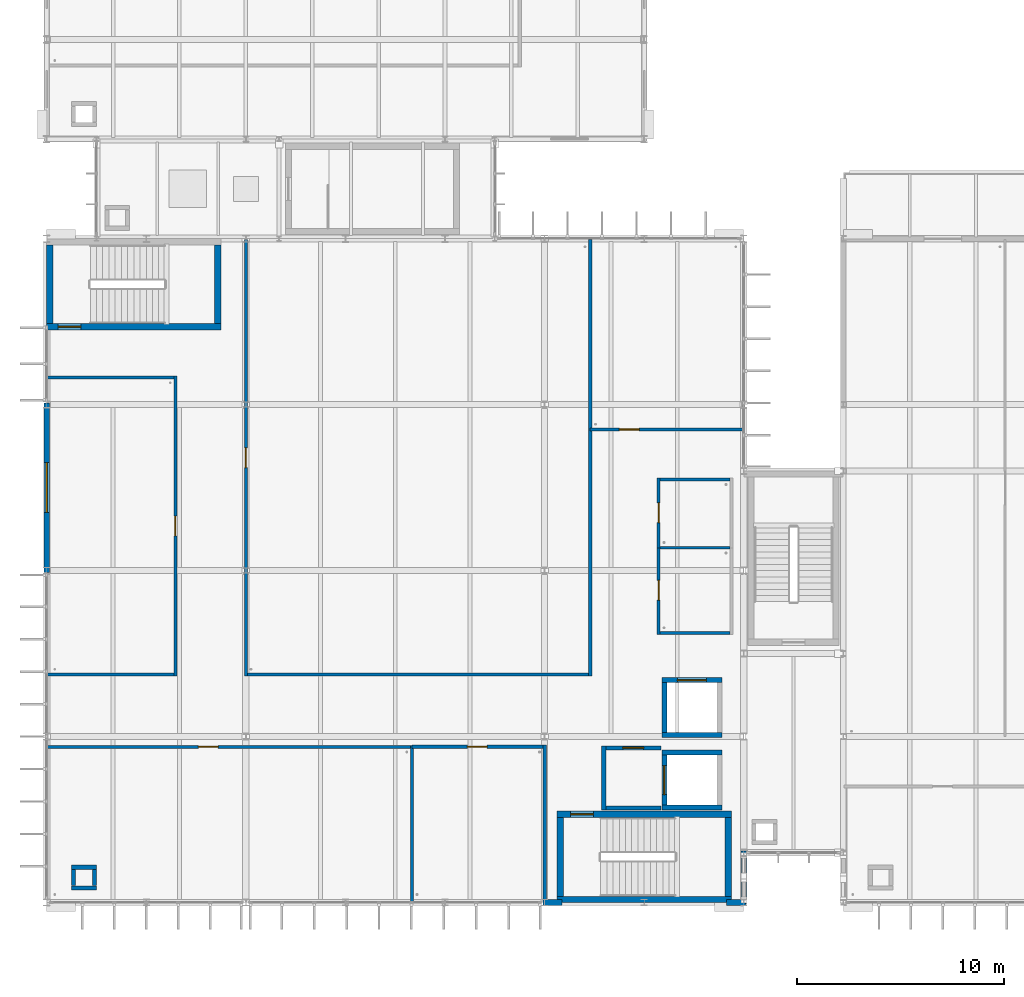
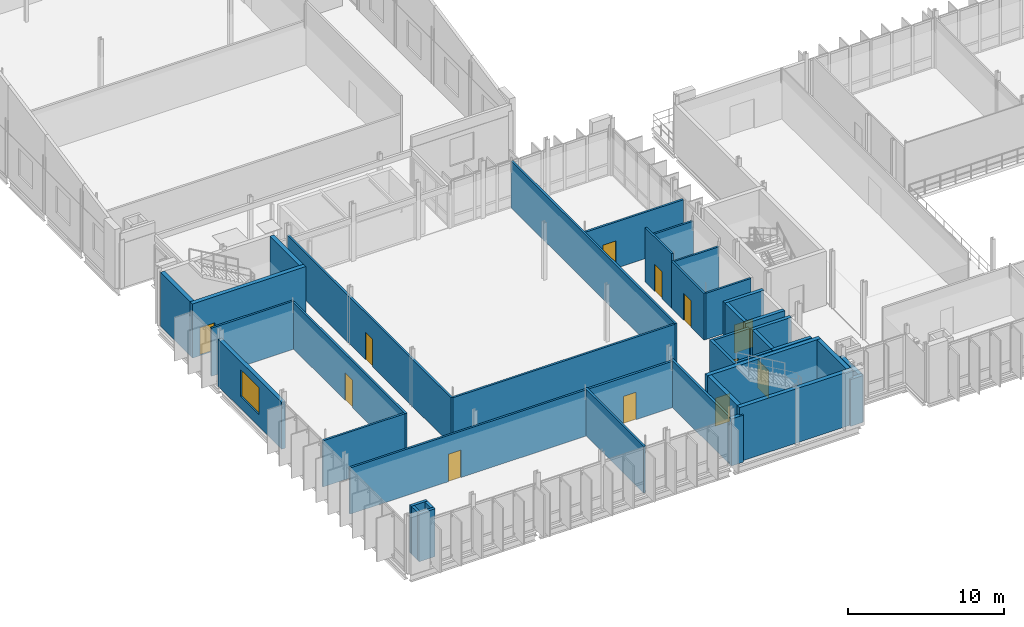
# One storey, part 50 of 93: 40 walls, 12 doors, 1 window, 13 openings.
"""IFC4 building model written with IfcOpenShell, lengths in metres."""

from ifc_helpers import new_model, si_unit, direction, frame, frame_2d, origin, place, context, subcontext, project, spatial, rectangle, extrude, material, layer, layer_set, type_object, element, fill, save


model = new_model("IFC4")

# Units and contexts
model_context = context("Model", 3, precision=1e-05, world=origin(), true_north=direction((0.0, 1.0)))
body_context = subcontext(model_context, "Body", "Model", "MODEL_VIEW")
ifc_project = project(units=[si_unit("LENGTHUNIT", "METRE"), si_unit("AREAUNIT", "SQUARE_METRE"), si_unit("VOLUMEUNIT", "CUBIC_METRE"), si_unit("PLANEANGLEUNIT", "RADIAN"), si_unit("MASSUNIT", "GRAM", prefix="KILO")], contexts=[model_context])

# Site, building, storey
site_placement = place(None, origin())
site = spatial("IfcSite", under=ifc_project, at=site_placement, CompositionType="ELEMENT")
building_placement = place(site_placement, origin())
building = spatial("IfcBuilding", under=site, at=building_placement, Name="Dunescarp Central Library", CompositionType="ELEMENT")
storey_placement = place(building_placement, frame((0.0, 0.0, 14.10009765625)))
storey = spatial("IfcBuildingStorey", under=building, at=storey_placement, Name="L03", CompositionType="ELEMENT", Elevation=14.10009765625)

# Wall, opening, door
ifc_material_1 = material(Name="Gypsum plasterboard acoustic partition")
ifc_layer_1 = layer(ifc_material_1, 0.14990234375)
ifc_layer_set_1 = layer_set([ifc_layer_1], Name="Gypsum plasterboard acoustic partition")
wall_type_1 = type_object("IfcWallType", Name="ARC-PT-AC150", PredefinedType="PARTITIONING", material=ifc_layer_set_1)
wall_1_placement = place(storey_placement, frame((0.0400390625, 12.300048828125, 0.0), z_axis=(0.0, 0.0, 1.0), x_axis=(1.0, 0.0, 0.0)))
wall_1 = element("IfcWall", 1, at=wall_1_placement, inside=storey, type_object=wall_type_1, Name="L03 partition PT-L03-0080", PredefinedType="PARTITIONING", context=body_context, shape_type="SweptSolid", body=[
    extrude(rectangle(XDim=17.48486328125, YDim=0.14990234375, at=frame_2d((8.742431640625, 0.0))), origin(), (0.0, 0.0, 1.0), 3.625),
])
opening_1_placement = place(wall_1_placement, frame((7.26806640625, 0.0, 0.0)))
opening_1 = element("IfcOpeningElement", 2, at=opening_1_placement, cuts=wall_1, Name="Opening DR-L03-0030", PredefinedType="OPENING", context=body_context, shape_type="SweptSolid", body=[
    extrude(rectangle(XDim=0.949951171875, YDim=2.14990234375, at=frame_2d((0.47509765625, 1.074951171875))), frame((0.0, 0.0849609375, 0.0), z_axis=(0.0, -1.0, 0.0), x_axis=(1.0, 0.0, 0.0)), (0.0, 0.0, 1.0), 0.169921875),
])
ifc_material_2 = material(Name="Hardwood solid-core timber leaf", Category="wood")
door_type_1 = type_object("IfcDoorType", Name="ARC-DR-INT950", OperationType="NOTDEFINED", PredefinedType="DOOR", material=ifc_material_2)
door_1_placement = place(opening_1_placement, origin())
door_1 = element("IfcDoor", 3, at=door_1_placement, inside=storey, type_object=door_type_1, Name="L03 interior door DR-L03-0030", OperationType="SINGLE_SWING_RIGHT", OverallHeight=2.14990234375, OverallWidth=0.949951171875, PredefinedType="DOOR", context=body_context, shape_type="SweptSolid", body=[
    extrude(rectangle(XDim=0.949951171875, YDim=2.14990234375, at=frame_2d((0.47509765625, 1.074951171875))), frame((0.0, 0.02490234375, 0.0), z_axis=(0.0, -1.0, 0.0), x_axis=(1.0, 0.0, 0.0)), (0.0, 0.0, 1.0), 0.050048828125),
])
fill(opening_1, door_1)

# Walls
wall_2_placement = place(storey_placement, frame((17.60009765625, 4.840087890625, 0.0), z_axis=(0.0, 0.0, 1.0), x_axis=(0.0, 1.0, 0.0)))
element("IfcWall", 4, at=wall_2_placement, inside=storey, type_object=wall_type_1, Name="L03 partition PT-L03-0081", PredefinedType="PARTITIONING", context=body_context, shape_type="SweptSolid", body=[
    extrude(rectangle(XDim=7.534912109375, YDim=0.14990234375, at=frame_2d((3.767578125, 0.0))), origin(), (0.0, 0.0, 1.0), 3.6748046875),
])
wall_3_placement = place(storey_placement, frame((0.0400390625, 15.800048828125, 0.0), z_axis=(0.0, 0.0, 1.0), x_axis=(1.0, 0.0, 0.0)))
element("IfcWall", 5, at=wall_3_placement, inside=storey, type_object=wall_type_1, Name="L03 partition PT-L03-0084", PredefinedType="PARTITIONING", context=body_context, shape_type="SweptSolid", body=[
    extrude(rectangle(XDim=6.0849609375, YDim=0.14990234375, at=frame_2d((3.04248046875, 0.0))), origin(), (0.0, 0.0, 1.0), 3.625),
])
wall_4_placement = place(storey_placement, frame((0.0400390625, 30.10009765625, 0.0), z_axis=(0.0, 0.0, 1.0), x_axis=(1.0, 0.0, 0.0)))
element("IfcWall", 6, at=wall_4_placement, inside=storey, type_object=wall_type_1, Name="L03 partition PT-L03-0085", PredefinedType="PARTITIONING", context=body_context, shape_type="SweptSolid", body=[
    extrude(rectangle(XDim=6.0849609375, YDim=0.14990234375, at=frame_2d((3.04248046875, 0.0))), origin(), (0.0, 0.0, 1.0), 3.77490234375),
])

# Wall, opening, door
wall_5_placement = place(storey_placement, frame((6.199951171875, 15.72509765625, 0.0), z_axis=(0.0, 0.0, 1.0), x_axis=(0.0, 1.0, 0.0)))
wall_5 = element("IfcWall", 7, at=wall_5_placement, inside=storey, type_object=wall_type_1, Name="L03 partition PT-L03-0086", PredefinedType="PARTITIONING", context=body_context, shape_type="SweptSolid", body=[
    extrude(rectangle(XDim=14.449951171875, YDim=0.14990234375, at=frame_2d((7.22509765625, 0.0))), origin(), (0.0, 0.0, 1.0), 3.625),
])
opening_2_placement = place(wall_5_placement, frame((6.75, 0.0, 0.0)))
opening_2 = element("IfcOpeningElement", 8, at=opening_2_placement, cuts=wall_5, Name="Opening DR-L03-0032", PredefinedType="OPENING", context=body_context, shape_type="SweptSolid", body=[
    extrude(rectangle(XDim=0.949951171875, YDim=2.14990234375, at=frame_2d((0.47509765625, 1.074951171875))), frame((0.0, 0.0849609375, 0.0), z_axis=(0.0, -1.0, 0.0), x_axis=(1.0, 0.0, 0.0)), (0.0, 0.0, 1.0), 0.169921875),
])
door_2_placement = place(opening_2_placement, origin())
door_2 = element("IfcDoor", 9, at=door_2_placement, inside=storey, type_object=door_type_1, Name="L03 interior door DR-L03-0032", OperationType="SINGLE_SWING_RIGHT", OverallHeight=2.14990234375, OverallWidth=0.949951171875, PredefinedType="DOOR", context=body_context, shape_type="SweptSolid", body=[
    extrude(rectangle(XDim=0.949951171875, YDim=2.14990234375, at=frame_2d((0.47509765625, 1.074951171875))), frame((0.0, 0.02490234375, 0.0), z_axis=(0.0, -1.0, 0.0), x_axis=(1.0, 0.0, 0.0)), (0.0, 0.0, 1.0), 0.050048828125),
])
fill(opening_2, door_2)

# Wall
wall_6_placement = place(storey_placement, frame((9.675048828125, 15.800048828125, 0.0), z_axis=(0.0, 0.0, 1.0), x_axis=(1.0, 0.0, 0.0)))
element("IfcWall", 10, at=wall_6_placement, inside=storey, type_object=wall_type_1, Name="L03 partition PT-L03-0087", PredefinedType="PARTITIONING", context=body_context, shape_type="SweptSolid", body=[
    extrude(rectangle(XDim=16.449951171875, YDim=0.14990234375, at=frame_2d((8.22509765625, 0.0))), origin(), (0.0, 0.0, 1.0), 3.625),
])

# Wall, opening, door
wall_7_placement = place(storey_placement, frame((9.60009765625, 15.72509765625, 0.0), z_axis=(0.0, 0.0, 1.0), x_axis=(0.0, 1.0, 0.0)))
wall_7 = element("IfcWall", 11, at=wall_7_placement, inside=storey, type_object=wall_type_1, Name="L03 partition PT-L03-0088", PredefinedType="PARTITIONING", context=body_context, shape_type="SweptSolid", body=[
    extrude(rectangle(XDim=21.034912109375, YDim=0.14990234375, at=frame_2d((10.517578125, 0.0))), origin(), (0.0, 0.0, 1.0), 3.6748046875),
])
opening_3_placement = place(wall_7_placement, frame((10.0419921875, 0.0, 0.0)))
opening_3 = element("IfcOpeningElement", 12, at=opening_3_placement, cuts=wall_7, Name="Opening DR-L03-0033", PredefinedType="OPENING", context=body_context, shape_type="SweptSolid", body=[
    extrude(rectangle(XDim=0.949951171875, YDim=2.14990234375, at=frame_2d((0.47509765625, 1.074951171875))), frame((0.0, 0.0849609375, 0.0), z_axis=(0.0, -1.0, 0.0), x_axis=(1.0, 0.0, 0.0)), (0.0, 0.0, 1.0), 0.169921875),
])
door_3_placement = place(opening_3_placement, origin())
door_3 = element("IfcDoor", 13, at=door_3_placement, inside=storey, type_object=door_type_1, Name="L03 interior door DR-L03-0033", OperationType="SINGLE_SWING_LEFT", OverallHeight=2.14990234375, OverallWidth=0.949951171875, PredefinedType="DOOR", context=body_context, shape_type="SweptSolid", body=[
    extrude(rectangle(XDim=0.949951171875, YDim=2.14990234375, at=frame_2d((0.47509765625, 1.074951171875))), frame((0.0, 0.02490234375, 0.0), z_axis=(0.0, -1.0, 0.0), x_axis=(1.0, 0.0, 0.0)), (0.0, 0.0, 1.0), 0.050048828125),
])
fill(opening_3, door_3)

# Wall
wall_8_placement = place(storey_placement, frame((26.199951171875, 15.72509765625, 0.0), z_axis=(0.0, 0.0, 1.0), x_axis=(0.0, 1.0, 0.0)))
element("IfcWall", 14, at=wall_8_placement, inside=storey, type_object=wall_type_1, Name="L03 partition PT-L03-0089", PredefinedType="PARTITIONING", context=body_context, shape_type="SweptSolid", body=[
    extrude(rectangle(XDim=21.034912109375, YDim=0.14990234375, at=frame_2d((10.517578125, 0.0))), origin(), (0.0, 0.0, 1.0), 3.6748046875),
])

# Wall, opening, door
wall_9_placement = place(storey_placement, frame((26.199951171875, 27.60009765625, 0.0), z_axis=(0.0, 0.0, 1.0), x_axis=(1.0, 0.0, 0.0)))
wall_9 = element("IfcWall", 15, at=wall_9_placement, inside=storey, type_object=wall_type_1, Name="L03 partition PT-L03-0090", PredefinedType="PARTITIONING", context=body_context, shape_type="SweptSolid", body=[
    extrude(rectangle(XDim=7.360107421875, YDim=0.14990234375, at=frame_2d((3.68017578125, 0.0))), origin(), (0.0, 0.0, 1.0), 3.625),
])
opening_4_placement = place(wall_9_placement, frame((1.409912109375, 0.0, 0.0)))
opening_4 = element("IfcOpeningElement", 16, at=opening_4_placement, cuts=wall_9, Name="Opening DR-L03-0034", PredefinedType="OPENING", context=body_context, shape_type="SweptSolid", body=[
    extrude(rectangle(XDim=0.949951171875, YDim=2.14990234375, at=frame_2d((0.47509765625, 1.074951171875))), frame((0.0, 0.0849609375, 0.0), z_axis=(0.0, -1.0, 0.0), x_axis=(1.0, 0.0, 0.0)), (0.0, 0.0, 1.0), 0.169921875),
])
door_4_placement = place(opening_4_placement, origin())
door_4 = element("IfcDoor", 17, at=door_4_placement, inside=storey, type_object=door_type_1, Name="L03 interior door DR-L03-0034", OperationType="SINGLE_SWING_RIGHT", OverallHeight=2.14990234375, OverallWidth=0.949951171875, PredefinedType="DOOR", context=body_context, shape_type="SweptSolid", body=[
    extrude(rectangle(XDim=0.949951171875, YDim=2.14990234375, at=frame_2d((0.47509765625, 1.074951171875))), frame((0.0, 0.02490234375, 0.0), z_axis=(0.0, -1.0, 0.0), x_axis=(1.0, 0.0, 0.0)), (0.0, 0.0, 1.0), 0.050048828125),
])
fill(opening_4, door_4)

ifc_layer_2 = layer(ifc_material_1, 0.169921875)
ifc_layer_set_2 = layer_set([ifc_layer_2], Name="Gypsum plasterboard acoustic partition")
wall_type_2 = type_object("IfcWallType", Name="ARC-PT-AC175", PredefinedType="PARTITIONING", material=ifc_layer_set_2)
wall_10_placement = place(storey_placement, frame((17.60009765625, 12.300048828125, 0.0), z_axis=(0.0, 0.0, 1.0), x_axis=(1.0, 0.0, 0.0)))
wall_10 = element("IfcWall", 18, at=wall_10_placement, inside=storey, type_object=wall_type_2, Name="L03 partition PT-L03-0082", PredefinedType="PARTITIONING", context=body_context, shape_type="SweptSolid", body=[
    extrude(rectangle(XDim=6.31494140625, YDim=0.169921875, at=frame_2d((3.157470703125, 0.0))), origin(), (0.0, 0.0, 1.0), 3.625),
])
opening_5_placement = place(wall_10_placement, frame((2.681884765625, 0.0, 0.0)))
opening_5 = element("IfcOpeningElement", 19, at=opening_5_placement, cuts=wall_10, Name="Opening DR-L03-0031", PredefinedType="OPENING", context=body_context, shape_type="SweptSolid", body=[
    extrude(rectangle(XDim=0.949951171875, YDim=2.14990234375, at=frame_2d((0.47509765625, 1.074951171875))), frame((0.0, 0.094970703125, 0.0), z_axis=(0.0, -1.0, 0.0), x_axis=(1.0, 0.0, 0.0)), (0.0, 0.0, 1.0), 0.18994140625),
])
door_5_placement = place(opening_5_placement, origin())
door_5 = element("IfcDoor", 20, at=door_5_placement, inside=storey, type_object=door_type_1, Name="L03 interior door DR-L03-0031", OperationType="SINGLE_SWING_LEFT", OverallHeight=2.14990234375, OverallWidth=0.949951171875, PredefinedType="DOOR", context=body_context, shape_type="SweptSolid", body=[
    extrude(rectangle(XDim=0.949951171875, YDim=2.14990234375, at=frame_2d((0.47509765625, 1.074951171875))), frame((0.0, 0.02490234375, 0.0), z_axis=(0.0, -1.0, 0.0), x_axis=(1.0, 0.0, 0.0)), (0.0, 0.0, 1.0), 0.050048828125),
])
fill(opening_5, door_5)

# Walls
wall_11_placement = place(storey_placement, frame((24.0, 4.840087890625, 0.0), z_axis=(0.0, 0.0, 1.0), x_axis=(0.0, 1.0, 0.0)))
element("IfcWall", 21, at=wall_11_placement, inside=storey, type_object=wall_type_2, Name="L03 partition PT-L03-0083", PredefinedType="PARTITIONING", context=body_context, shape_type="SweptSolid", body=[
    extrude(rectangle(XDim=7.544921875, YDim=0.169921875, at=frame_2d((3.7724609375, 0.0))), origin(), (0.0, 0.0, 1.0), 3.6748046875),
])
ifc_material_3 = material(Name="Concrete C35/45", Category="concrete")
ifc_layer_3 = layer(ifc_material_3, 0.199951171875)
ifc_layer_set_3 = layer_set([ifc_layer_3], Name="Concrete C35/45")
wall_type_3 = type_object("IfcWallType", Name="ARC-PT-FIRE200", PredefinedType="PARTITIONING", material=ifc_layer_set_3)
wall_12_placement = place(storey_placement, frame((26.949951171875, 9.35009765625, 0.0), z_axis=(0.0, 0.0, 1.0), x_axis=(1.0, 0.0, 0.0)))
element("IfcWall", 22, at=wall_12_placement, inside=storey, type_object=wall_type_3, Name="L03 partition PT-L03-0070", PredefinedType="PARTITIONING", context=body_context, shape_type="SweptSolid", body=[
    extrude(rectangle(XDim=2.650146484375, YDim=0.199951171875, at=frame_2d((1.3251953125, 0.0))), origin(), (0.0, 0.0, 1.0), 4.25),
])

# Wall, opening, door
wall_13_placement = place(storey_placement, frame((26.949951171875, 12.25, 0.0), z_axis=(0.0, 0.0, 1.0), x_axis=(1.0, 0.0, 0.0)))
wall_13 = element("IfcWall", 23, at=wall_13_placement, inside=storey, type_object=wall_type_3, Name="L03 partition PT-L03-0071", PredefinedType="PARTITIONING", context=body_context, shape_type="SweptSolid", body=[
    extrude(rectangle(XDim=2.650146484375, YDim=0.199951171875, at=frame_2d((1.3251953125, 0.0))), origin(), (0.0, 0.0, 1.0), 4.25),
])
opening_6_placement = place(wall_13_placement, frame((0.824951171875, 0.0, 0.0)))
opening_6 = element("IfcOpeningElement", 24, at=opening_6_placement, cuts=wall_13, Name="Opening DR-L03-0027", PredefinedType="OPENING", context=body_context, shape_type="SweptSolid", body=[
    extrude(rectangle(XDim=1.0, YDim=2.199951171875, at=frame_2d((0.5, 1.10009765625))), frame((0.0, 0.10986328125, 0.0), z_axis=(0.0, -1.0, 0.0), x_axis=(1.0, 0.0, 0.0)), (0.0, 0.0, 1.0), 0.219970703125),
])
door_type_2 = type_object("IfcDoorType", Name="ARC-DR-INT1000", OperationType="NOTDEFINED", PredefinedType="DOOR", material=ifc_material_2)
door_6_placement = place(opening_6_placement, origin())
door_6 = element("IfcDoor", 25, at=door_6_placement, inside=storey, type_object=door_type_2, Name="L03 interior door DR-L03-0027", OperationType="SINGLE_SWING_LEFT", OverallHeight=2.199951171875, OverallWidth=1.0, PredefinedType="DOOR", context=body_context, shape_type="SweptSolid", body=[
    extrude(rectangle(XDim=1.0, YDim=2.199951171875, at=frame_2d((0.5, 1.10009765625))), frame((0.0, 0.02490234375, 0.0), z_axis=(0.0, -1.0, 0.0), x_axis=(1.0, 0.0, 0.0)), (0.0, 0.0, 1.0), 0.050048828125),
])
fill(opening_6, door_6)

# Walls
wall_14_placement = place(storey_placement, frame((26.85009765625, 9.25, 0.0), z_axis=(0.0, 0.0, 1.0), x_axis=(0.0, 1.0, 0.0)))
element("IfcWall", 26, at=wall_14_placement, inside=storey, type_object=wall_type_3, Name="L03 partition PT-L03-0072", PredefinedType="PARTITIONING", context=body_context, shape_type="SweptSolid", body=[
    extrude(rectangle(XDim=3.10009765625, YDim=0.199951171875, at=frame_2d((1.550048828125, 0.0))), origin(), (0.0, 0.0, 1.0), 4.25),
])
ifc_material_4 = material(Name="Autoclaved aerated concrete block", Category="concrete")
ifc_layer_4 = layer(ifc_material_4, 0.139892578125)
ifc_layer_set_4 = layer_set([ifc_layer_4], Name="Autoclaved aerated concrete block")
wall_type_4 = type_object("IfcWallType", Name="ARC-PT-WET140", PredefinedType="PARTITIONING", material=ifc_layer_set_4)
for number, where, z_axis, x_axis, name in (
    (27, (29.570068359375, 17.800048828125, 0.0), (0.0, 0.0, 1.0), (1.0, 0.0, 0.0), "L03 partition PT-L03-0073"),
    (28, (29.570068359375, 21.89990234375, 0.0), (0.0, 0.0, 1.0), (1.0, 0.0, 0.0), "L03 partition PT-L03-0074"),
):
    element("IfcWall", number, at=place(storey_placement, frame(where, z_axis=z_axis, x_axis=x_axis)), inside=storey, type_object=wall_type_4, Name=name, PredefinedType="PARTITIONING", context=body_context, shape_type="SweptSolid", body=[
        extrude(rectangle(XDim=3.35986328125, YDim=0.139892578125, at=frame_2d((1.679931640625, 0.0))), origin(), (0.0, 0.0, 1.0), 3.625),
    ])

# Wall, opening, door
wall_15_placement = place(storey_placement, frame((29.5, 17.72998046875, 0.0), z_axis=(0.0, 0.0, 1.0), x_axis=(0.0, 1.0, 0.0)))
wall_15 = element("IfcWall", 29, at=wall_15_placement, inside=storey, type_object=wall_type_4, Name="L03 partition PT-L03-0075", PredefinedType="PARTITIONING", context=body_context, shape_type="SweptSolid", body=[
    extrude(rectangle(XDim=4.239990234375, YDim=0.139892578125, at=frame_2d((2.1201171875, 0.0))), origin(), (0.0, 0.0, 1.0), 3.6748046875),
])
opening_7_placement = place(wall_15_placement, frame((1.64501953125, 0.0, 0.0)))
opening_7 = element("IfcOpeningElement", 30, at=opening_7_placement, cuts=wall_15, Name="Opening DR-L03-0028", PredefinedType="OPENING", context=body_context, shape_type="SweptSolid", body=[
    extrude(rectangle(XDim=0.949951171875, YDim=2.10009765625, at=frame_2d((0.47509765625, 1.050048828125))), frame((0.0, 0.080078125, 0.0), z_axis=(0.0, -1.0, 0.0), x_axis=(1.0, 0.0, 0.0)), (0.0, 0.0, 1.0), 0.159912109375),
])
door_type_3 = type_object("IfcDoorType", Name="ARC-DR-WC950", OperationType="NOTDEFINED", PredefinedType="DOOR", material=ifc_material_2)
door_7_placement = place(opening_7_placement, origin())
door_7 = element("IfcDoor", 31, at=door_7_placement, inside=storey, type_object=door_type_3, Name="L03 interior door DR-L03-0028", OperationType="SINGLE_SWING_RIGHT", OverallHeight=2.10009765625, OverallWidth=0.949951171875, PredefinedType="DOOR", context=body_context, shape_type="SweptSolid", body=[
    extrude(rectangle(XDim=0.949951171875, YDim=2.10009765625, at=frame_2d((0.47509765625, 1.050048828125))), frame((0.0, 0.02490234375, 0.0), z_axis=(0.0, -1.0, 0.0), x_axis=(1.0, 0.0, 0.0)), (0.0, 0.0, 1.0), 0.050048828125),
])
fill(opening_7, door_7)

# Wall
wall_16_placement = place(storey_placement, frame((29.570068359375, 25.199951171875, 0.0), z_axis=(0.0, 0.0, 1.0), x_axis=(1.0, 0.0, 0.0)))
element("IfcWall", 32, at=wall_16_placement, inside=storey, type_object=wall_type_4, Name="L03 partition PT-L03-0077", PredefinedType="PARTITIONING", context=body_context, shape_type="SweptSolid", body=[
    extrude(rectangle(XDim=3.35986328125, YDim=0.139892578125, at=frame_2d((1.679931640625, 0.0))), origin(), (0.0, 0.0, 1.0), 3.625),
])

# Wall, opening, door
wall_17_placement = place(storey_placement, frame((29.5, 21.89990234375, 0.0), z_axis=(0.0, 0.0, 1.0), x_axis=(0.0, 1.0, 0.0)))
wall_17 = element("IfcWall", 33, at=wall_17_placement, inside=storey, type_object=wall_type_4, Name="L03 partition PT-L03-0078", PredefinedType="PARTITIONING", context=body_context, shape_type="SweptSolid", body=[
    extrude(rectangle(XDim=3.3701171875, YDim=0.139892578125, at=frame_2d((1.68505859375, 0.0))), origin(), (0.0, 0.0, 1.0), 4.25),
])
opening_8_placement = place(wall_17_placement, frame((1.2099609375, 0.0, 0.0)))
opening_8 = element("IfcOpeningElement", 34, at=opening_8_placement, cuts=wall_17, Name="Opening DR-L03-0029", PredefinedType="OPENING", context=body_context, shape_type="SweptSolid", body=[
    extrude(rectangle(XDim=0.949951171875, YDim=2.10009765625, at=frame_2d((0.47509765625, 1.050048828125))), frame((0.0, 0.080078125, 0.0), z_axis=(0.0, -1.0, 0.0), x_axis=(1.0, 0.0, 0.0)), (0.0, 0.0, 1.0), 0.159912109375),
])
door_8_placement = place(opening_8_placement, origin())
door_8 = element("IfcDoor", 35, at=door_8_placement, inside=storey, type_object=door_type_3, Name="L03 interior door DR-L03-0029", OperationType="SINGLE_SWING_LEFT", OverallHeight=2.10009765625, OverallWidth=0.949951171875, PredefinedType="DOOR", context=body_context, shape_type="SweptSolid", body=[
    extrude(rectangle(XDim=0.949951171875, YDim=2.10009765625, at=frame_2d((0.47509765625, 1.050048828125))), frame((0.0, 0.02490234375, 0.0), z_axis=(0.0, -1.0, 0.0), x_axis=(1.0, 0.0, 0.0)), (0.0, 0.0, 1.0), 0.050048828125),
])
fill(opening_8, door_8)

# Walls
ifc_material_5 = material(Name="Glass-fibre reinforced concrete GRC", Category="concrete")
ifc_layer_5 = layer(ifc_material_5, 0.280029296875)
ifc_layer_set_5 = layer_set([ifc_layer_5], Name="Glass-fibre reinforced concrete GRC")
wall_type_5 = type_object("IfcWallType", Name="ARC-WL-GRC280", PredefinedType="SOLIDWALL", material=ifc_layer_set_5)
wall_18_placement = place(storey_placement, frame((24.8349609375, 4.800048828125, 0.0), z_axis=(0.0, 0.0, 1.0), x_axis=(-1.0, 0.0, 0.0)))
element("IfcWall", 36, at=wall_18_placement, inside=storey, type_object=wall_type_5, Name="L03 external wall EW-V1-014", PredefinedType="SOLIDWALL", context=body_context, shape_type="SweptSolid", body=[
    extrude(rectangle(XDim=0.919921875, YDim=0.280029296875, at=frame_2d((0.4599609375, 0.0))), origin(), (0.0, 0.0, 1.0), 3.6748046875),
])
wall_19_placement = place(storey_placement, frame((33.68505859375, 4.800048828125, 0.0), z_axis=(0.0, 0.0, 1.0), x_axis=(-1.0, 0.0, 0.0)))
element("IfcWall", 37, at=wall_19_placement, inside=storey, type_object=wall_type_5, Name="L03 external wall EW-V1-015", PredefinedType="SOLIDWALL", context=body_context, shape_type="SweptSolid", body=[
    extrude(rectangle(XDim=0.920166015625, YDim=0.280029296875, at=frame_2d((0.4599609375, 0.0))), origin(), (0.0, 0.0, 1.0), 3.6748046875),
])

# Wall, opening, window
wall_20_placement = place(storey_placement, frame((0.0, 20.715087890625, 0.0), z_axis=(0.0, 0.0, 1.0), x_axis=(0.0, 1.0, 0.0)))
wall_20 = element("IfcWall", 38, at=wall_20_placement, inside=storey, type_object=wall_type_5, Name="L03 external wall EW-V1-016", PredefinedType="SOLIDWALL", context=body_context, shape_type="SweptSolid", body=[
    extrude(rectangle(XDim=8.169921875, YDim=0.280029296875, at=frame_2d((4.0849609375, 0.0))), origin(), (0.0, 0.0, 1.0), 3.6748046875),
])
opening_9_placement = place(wall_20_placement, frame((2.885009765625, 0.0, 0.949951171875)))
opening_9 = element("IfcOpeningElement", 39, at=opening_9_placement, cuts=wall_20, Name="Opening WN-004", PredefinedType="OPENING", context=body_context, shape_type="SweptSolid", body=[
    extrude(rectangle(XDim=2.39990234375, YDim=2.10009765625, at=frame_2d((1.199951171875, 1.050048828125))), frame((0.0, 0.14990234375, 0.0), z_axis=(0.0, -1.0, 0.0), x_axis=(1.0, 0.0, 0.0)), (0.0, 0.0, 1.0), 0.300048828125),
])
ifc_material_6 = material(Name="Solar-control laminated double glazing", Category="glass")
window_type = type_object("IfcWindowType", Name="ARC-WN-2400X2100", PartitioningType="SINGLE_PANEL", PredefinedType="WINDOW", material=ifc_material_6)
window_placement = place(opening_9_placement, origin())
window = element("IfcWindow", 40, at=window_placement, inside=storey, type_object=window_type, Name="L03 window WN-004", OverallHeight=2.10009765625, OverallWidth=2.39990234375, PartitioningType="SINGLE_PANEL", PredefinedType="WINDOW", context=body_context, shape_type="SweptSolid", body=[
    extrude(rectangle(XDim=2.39990234375, YDim=2.10009765625, at=frame_2d((1.199951171875, 1.050048828125))), frame((0.0, 0.030029296875, 0.0), z_axis=(0.0, -1.0, 0.0), x_axis=(1.0, 0.0, 0.0)), (0.0, 0.0, 1.0), 0.06005859375),
])
fill(opening_9, window)

# Walls
wall_21_placement = place(storey_placement, frame((33.60009765625, 7.284912109375, 0.0), z_axis=(0.0, 0.0, 1.0), x_axis=(0.0, -1.0, 0.0)))
element("IfcWall", 41, at=wall_21_placement, inside=storey, type_object=wall_type_5, Name="L03 external wall EW-V1-017", PredefinedType="SOLIDWALL", context=body_context, shape_type="SweptSolid", body=[
    extrude(rectangle(XDim=2.56982421875, YDim=0.280029296875, at=frame_2d((1.284912109375, 0.0))), origin(), (0.0, 0.0, 1.0), 3.6748046875),
])
ifc_layer_6 = layer(ifc_material_3, 0.199951171875)
ifc_layer_set_6 = layer_set([ifc_layer_6], Name="Concrete C35/45")
wall_type_6 = type_object("IfcWallType", Name="ARC-WL-RISER200", PredefinedType="PARTITIONING", material=ifc_layer_set_6)
for number, where, z_axis, x_axis, name in (
    (42, (2.39990234375, 5.5, 0.0), (0.0, 0.0, 1.0), (-1.0, 0.0, 0.0), "L03 V1 duct shaft wall S"),
    (43, (1.199951171875, 6.5, 0.0), (0.0, 0.0, 1.0), (1.0, 0.0, 0.0), "L03 V1 duct shaft wall N"),
):
    element("IfcWall", number, at=place(storey_placement, frame(where, z_axis=z_axis, x_axis=x_axis)), inside=storey, type_object=wall_type_6, Name=name, PredefinedType="PARTITIONING", context=body_context, shape_type="SweptSolid", body=[
        extrude(rectangle(XDim=1.199951171875, YDim=0.199951171875, at=frame_2d((0.60009765625, 0.0))), origin(), (0.0, 0.0, 1.0), 3.75),
    ])
for number, where, z_axis, x_axis, name in (
    (44, (1.300048828125, 5.6201171875, 0.0), (0.0, 0.0, 1.0), (0.0, 1.0, 0.0), "L03 V1 duct shaft wall W"),
    (45, (2.300048828125, 6.3798828125, 0.0), (0.0, 0.0, 1.0), (0.0, -1.0, 0.0), "L03 V1 duct shaft wall E"),
):
    element("IfcWall", number, at=place(storey_placement, frame(where, z_axis=z_axis, x_axis=x_axis)), inside=storey, type_object=wall_type_6, Name=name, PredefinedType="PARTITIONING", context=body_context, shape_type="SweptSolid", body=[
        extrude(rectangle(XDim=0.759765625, YDim=0.199951171875, at=frame_2d((0.3798828125, 0.0))), origin(), (0.0, 0.0, 1.0), 3.75),
    ])
ifc_material_7 = material(Name="Concrete C40/50", Category="concrete")
ifc_layer_7 = layer(ifc_material_7, 0.25)
ifc_layer_set_7 = layer_set([ifc_layer_7], Name="Concrete C40/50")
wall_type_7 = type_object("IfcWallType", Name="STR-WL-CORE250", PredefinedType="SHEAR", material=ifc_layer_set_7)
for number, where, z_axis, x_axis, name in (
    (46, (32.550048828125, 9.375, 0.0), (0.0, 0.0, 1.0), (-1.0, 0.0, 0.0), "L03 FFL-1 lift shaft wall S"),
    (47, (29.64990234375, 12.02490234375, 0.0), (0.0, 0.0, 1.0), (1.0, 0.0, 0.0), "L03 FFL-1 lift shaft wall N"),
):
    element("IfcWall", number, at=place(storey_placement, frame(where, z_axis=z_axis, x_axis=x_axis)), inside=storey, type_object=wall_type_7, Name=name, PredefinedType="SHEAR", context=body_context, shape_type="SweptSolid", body=[
        extrude(rectangle(XDim=2.900146484375, YDim=0.25, at=frame_2d((1.4501953125, 0.0))), origin(), (0.0, 0.0, 1.0), 4.25),
    ])

# Wall, opening, door
wall_22_placement = place(storey_placement, frame((29.77490234375, 9.5, 0.0), z_axis=(0.0, 0.0, 1.0), x_axis=(0.0, 1.0, 0.0)))
wall_22 = element("IfcWall", 48, at=wall_22_placement, inside=storey, type_object=wall_type_7, Name="L03 FFL-1 lift shaft wall W", PredefinedType="SHEAR", context=body_context, shape_type="SweptSolid", body=[
    extrude(rectangle(XDim=2.39990234375, YDim=0.25, at=frame_2d((1.199951171875, 0.0))), origin(), (0.0, 0.0, 1.0), 4.25),
])
opening_10_placement = place(wall_22_placement, frame((0.5, 0.0, 0.0)))
opening_10 = element("IfcOpeningElement", 49, at=opening_10_placement, cuts=wall_22, Name="Opening LD-FFL-1-L03", PredefinedType="OPENING", context=body_context, shape_type="SweptSolid", body=[
    extrude(rectangle(XDim=1.39990234375, YDim=2.199951171875, at=frame_2d((0.699951171875, 1.10009765625))), frame((0.0, 0.135009765625, 0.0), z_axis=(0.0, -1.0, 0.0), x_axis=(1.0, 0.0, 0.0)), (0.0, 0.0, 1.0), 0.27001953125),
])
ifc_material_8 = material(Name="Stainless steel Grade 316L", Category="steel")
door_type_4 = type_object("IfcDoorType", Name="ARC-DR-LD1400", OperationType="DOUBLE_DOOR_SLIDING", PredefinedType="DOOR", material=ifc_material_8)
door_9_placement = place(opening_10_placement, origin())
door_9 = element("IfcDoor", 50, at=door_9_placement, inside=storey, type_object=door_type_4, Name="L03 FFL-1 lift landing door", OperationType="DOUBLE_DOOR_SLIDING", OverallHeight=2.199951171875, OverallWidth=1.39990234375, PredefinedType="DOOR", context=body_context, shape_type="SweptSolid", body=[
    extrude(rectangle(XDim=1.39990234375, YDim=2.199951171875, at=frame_2d((0.699951171875, 1.10009765625))), frame((0.0, 0.02490234375, 0.0), z_axis=(0.0, -1.0, 0.0), x_axis=(1.0, 0.0, 0.0)), (0.0, 0.0, 1.0), 0.050048828125),
])
fill(opening_10, door_9)

# Wall
wall_23_placement = place(storey_placement, frame((32.550048828125, 12.875, 0.0), z_axis=(0.0, 0.0, 1.0), x_axis=(-1.0, 0.0, 0.0)))
element("IfcWall", 51, at=wall_23_placement, inside=storey, type_object=wall_type_7, Name="L03 SL-1 lift shaft wall S", PredefinedType="SHEAR", context=body_context, shape_type="SweptSolid", body=[
    extrude(rectangle(XDim=2.900146484375, YDim=0.25, at=frame_2d((1.4501953125, 0.0))), origin(), (0.0, 0.0, 1.0), 4.25),
])

# Wall, opening, door
wall_24_placement = place(storey_placement, frame((29.64990234375, 15.52490234375, 0.0), z_axis=(0.0, 0.0, 1.0), x_axis=(1.0, 0.0, 0.0)))
wall_24 = element("IfcWall", 52, at=wall_24_placement, inside=storey, type_object=wall_type_7, Name="L03 SL-1 lift shaft wall N", PredefinedType="SHEAR", context=body_context, shape_type="SweptSolid", body=[
    extrude(rectangle(XDim=2.900146484375, YDim=0.25, at=frame_2d((1.4501953125, 0.0))), origin(), (0.0, 0.0, 1.0), 4.25),
])
opening_11_placement = place(wall_24_placement, frame((0.75, 0.0, 0.0)))
opening_11 = element("IfcOpeningElement", 53, at=opening_11_placement, cuts=wall_24, Name="Opening LD-SL-1-L03", PredefinedType="OPENING", context=body_context, shape_type="SweptSolid", body=[
    extrude(rectangle(XDim=1.39990234375, YDim=2.199951171875, at=frame_2d((0.699951171875, 1.10009765625))), frame((0.0, 0.135009765625, 0.0), z_axis=(0.0, -1.0, 0.0), x_axis=(1.0, 0.0, 0.0)), (0.0, 0.0, 1.0), 0.27001953125),
])
door_10_placement = place(opening_11_placement, origin())
door_10 = element("IfcDoor", 54, at=door_10_placement, inside=storey, type_object=door_type_4, Name="L03 SL-1 lift landing door", OperationType="DOUBLE_DOOR_SLIDING", OverallHeight=2.199951171875, OverallWidth=1.39990234375, PredefinedType="DOOR", context=body_context, shape_type="SweptSolid", body=[
    extrude(rectangle(XDim=1.39990234375, YDim=2.199951171875, at=frame_2d((0.699951171875, 1.10009765625))), frame((0.0, 0.02490234375, 0.0), z_axis=(0.0, -1.0, 0.0), x_axis=(1.0, 0.0, 0.0)), (0.0, 0.0, 1.0), 0.050048828125),
])
fill(opening_11, door_10)

# Walls
wall_25_placement = place(storey_placement, frame((29.77490234375, 13.0, 0.0), z_axis=(0.0, 0.0, 1.0), x_axis=(0.0, 1.0, 0.0)))
element("IfcWall", 55, at=wall_25_placement, inside=storey, type_object=wall_type_7, Name="L03 SL-1 lift shaft wall W", PredefinedType="SHEAR", context=body_context, shape_type="SweptSolid", body=[
    extrude(rectangle(XDim=2.39990234375, YDim=0.25, at=frame_2d((1.199951171875, 0.0))), origin(), (0.0, 0.0, 1.0), 4.25),
])
ifc_layer_8 = layer(ifc_material_7, 0.300048828125)
ifc_layer_set_8 = layer_set([ifc_layer_8], Name="Concrete C40/50")
wall_type_8 = type_object("IfcWallType", Name="STR-WL-CORE300", PredefinedType="SHEAR", material=ifc_layer_set_8)
wall_26_placement = place(storey_placement, frame((33.0, 4.949951171875, 0.0), z_axis=(0.0, 0.0, 1.0), x_axis=(-1.0, 0.0, 0.0)))
element("IfcWall", 56, at=wall_26_placement, inside=storey, type_object=wall_type_8, Name="L03 ST-1 south core wall", PredefinedType="SHEAR", context=body_context, shape_type="SweptSolid", body=[
    extrude(rectangle(XDim=8.39990234375, YDim=0.300048828125, at=frame_2d((4.199951171875, 0.0))), origin(), (0.0, 0.0, 1.0), 4.25),
])

# Wall, opening, door
wall_27_placement = place(storey_placement, frame((24.60009765625, 9.050048828125, 0.0), z_axis=(0.0, 0.0, 1.0), x_axis=(1.0, 0.0, 0.0)))
wall_27 = element("IfcWall", 57, at=wall_27_placement, inside=storey, type_object=wall_type_8, Name="L03 ST-1 north core wall", PredefinedType="SHEAR", context=body_context, shape_type="SweptSolid", body=[
    extrude(rectangle(XDim=8.39990234375, YDim=0.300048828125, at=frame_2d((4.199951171875, 0.0))), origin(), (0.0, 0.0, 1.0), 4.25),
])
opening_12_placement = place(wall_27_placement, frame((0.64990234375, 0.0, 0.0)))
opening_12 = element("IfcOpeningElement", 58, at=opening_12_placement, cuts=wall_27, Name="Opening D-ST-1-L03", PredefinedType="OPENING", context=body_context, shape_type="SweptSolid", body=[
    extrude(rectangle(XDim=1.10009765625, YDim=2.199951171875, at=frame_2d((0.550048828125, 1.10009765625))), frame((0.0, 0.16015625, 0.0), z_axis=(0.0, -1.0, 0.0), x_axis=(1.0, 0.0, 0.0)), (0.0, 0.0, 1.0), 0.320068359375),
])
ifc_material_9 = material(Name="Galvanised steel FD120S", Category="steel")
door_type_5 = type_object("IfcDoorType", Name="ARC-DR-STAIR", OperationType="NOTDEFINED", PredefinedType="DOOR", material=ifc_material_9)
door_11_placement = place(opening_12_placement, origin())
door_11 = element("IfcDoor", 59, at=door_11_placement, inside=storey, type_object=door_type_5, Name="L03 ST-1 fire stair door", OperationType="SINGLE_SWING_LEFT", OverallHeight=2.199951171875, OverallWidth=1.10009765625, PredefinedType="DOOR", context=body_context, shape_type="SweptSolid", body=[
    extrude(rectangle(XDim=1.10009765625, YDim=2.199951171875, at=frame_2d((0.550048828125, 1.10009765625))), frame((0.0, 0.02490234375, 0.0), z_axis=(0.0, -1.0, 0.0), x_axis=(1.0, 0.0, 0.0)), (0.0, 0.0, 1.0), 0.050048828125),
])
fill(opening_12, door_11)

# Walls
for number, where, z_axis, x_axis, name in (
    (60, (24.75, 5.10009765625, 0.0), (0.0, 0.0, 1.0), (0.0, 1.0, 0.0), "L03 ST-1 west core wall"),
    (61, (32.85009765625, 8.89990234375, 0.0), (0.0, 0.0, 1.0), (0.0, -1.0, 0.0), "L03 ST-1 east core wall"),
):
    element("IfcWall", number, at=place(storey_placement, frame(where, z_axis=z_axis, x_axis=x_axis)), inside=storey, type_object=wall_type_8, Name=name, PredefinedType="SHEAR", context=body_context, shape_type="SweptSolid", body=[
        extrude(rectangle(XDim=3.7998046875, YDim=0.300048828125, at=frame_2d((1.89990234375, 0.0))), origin(), (0.0, 0.0, 1.0), 4.25),
    ])

# Wall, opening, door
wall_28_placement = place(storey_placement, frame((8.39990234375, 32.550048828125, 0.0), z_axis=(0.0, 0.0, 1.0), x_axis=(-1.0, 0.0, 0.0)))
wall_28 = element("IfcWall", 62, at=wall_28_placement, inside=storey, type_object=wall_type_8, Name="L03 ST-6 south core wall", PredefinedType="SHEAR", context=body_context, shape_type="SweptSolid", body=[
    extrude(rectangle(XDim=8.39990234375, YDim=0.300048828125, at=frame_2d((4.199951171875, 0.0))), origin(), (0.0, 0.0, 1.0), 4.25),
])
opening_13_placement = place(wall_28_placement, frame((6.75, 0.0, 0.0)))
opening_13 = element("IfcOpeningElement", 63, at=opening_13_placement, cuts=wall_28, Name="Opening D-ST-6-L03", PredefinedType="OPENING", context=body_context, shape_type="SweptSolid", body=[
    extrude(rectangle(XDim=1.10009765625, YDim=2.199951171875, at=frame_2d((0.550048828125, 1.10009765625))), frame((0.0, 0.16015625, 0.0), z_axis=(0.0, -1.0, 0.0), x_axis=(1.0, 0.0, 0.0)), (0.0, 0.0, 1.0), 0.320068359375),
])
door_12_placement = place(opening_13_placement, origin())
door_12 = element("IfcDoor", 64, at=door_12_placement, inside=storey, type_object=door_type_5, Name="L03 ST-6 fire stair door", OperationType="SINGLE_SWING_RIGHT", OverallHeight=2.199951171875, OverallWidth=1.10009765625, PredefinedType="DOOR", context=body_context, shape_type="SweptSolid", body=[
    extrude(rectangle(XDim=1.10009765625, YDim=2.199951171875, at=frame_2d((0.550048828125, 1.10009765625))), frame((0.0, 0.02490234375, 0.0), z_axis=(0.0, -1.0, 0.0), x_axis=(1.0, 0.0, 0.0)), (0.0, 0.0, 1.0), 0.050048828125),
])
fill(opening_13, door_12)

# Walls
for number, where, z_axis, x_axis, name in (
    (65, (0.14990234375, 32.699951171875, 0.0), (0.0, 0.0, 1.0), (0.0, 1.0, 0.0), "L03 ST-6 west core wall"),
    (66, (8.25, 36.5, 0.0), (0.0, 0.0, 1.0), (0.0, -1.0, 0.0), "L03 ST-6 east core wall"),
):
    element("IfcWall", number, at=place(storey_placement, frame(where, z_axis=z_axis, x_axis=x_axis)), inside=storey, type_object=wall_type_8, Name=name, PredefinedType="SHEAR", context=body_context, shape_type="SweptSolid", body=[
        extrude(rectangle(XDim=3.800048828125, YDim=0.300048828125, at=frame_2d((1.89990234375, 0.0))), origin(), (0.0, 0.0, 1.0), 4.25),
    ])

save(model, "model.ifc")
